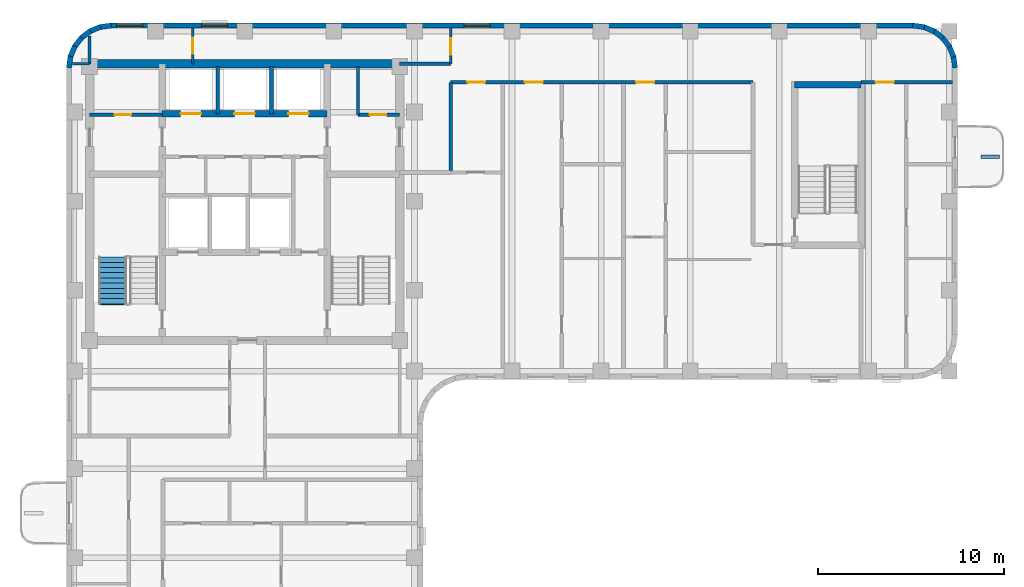
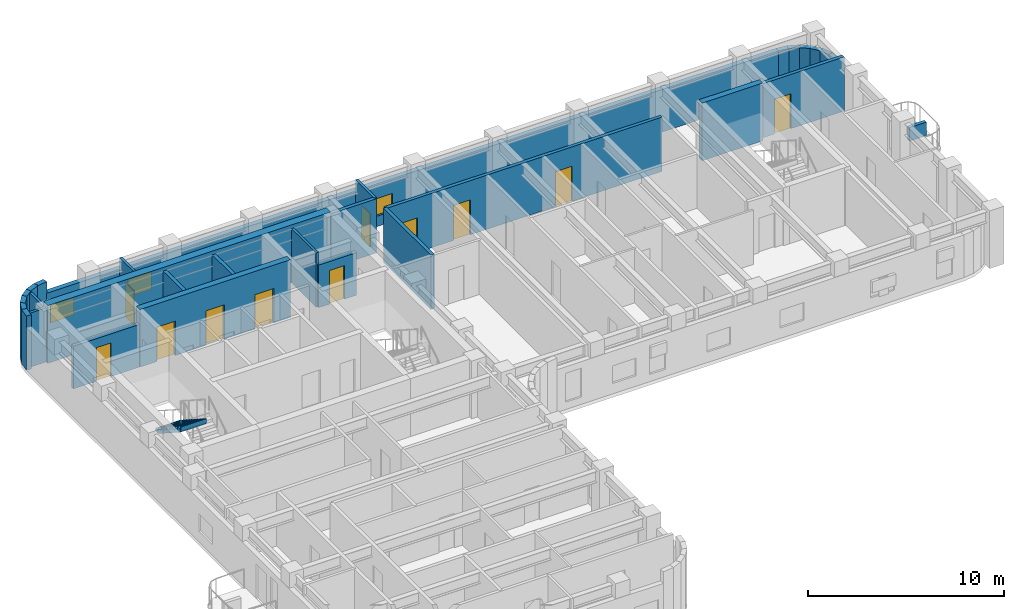
# One storey, part 6 of 10: 30 walls, 11 doors, 3 windows, 1 stair flight, 14 openings, 1 element without a shape of its own.
"""IFC4 building model written with IfcOpenShell, lengths in metres."""

import ifcopenshell
import ifcopenshell.guid

model = None  # the IFC model being written
_history = None  # IfcOwnerHistory: only IFC2X3 demands one
_inside = {}  # id of a spatial element -> (the spatial element, [elements in it])
_under = {}  # id of a project, library or spatial element -> (it, [spatial elements below it])
_declared = {}  # id of a project -> (the project, [libraries it declares])
_typed = {}  # id of a type object -> (the type object, [elements of that type])
_made_of = {}  # id of a material, layer set ... -> (it, [elements and type objects made of it])


def new_model(schema):
    """Start an empty IFC model of exactly this schema.

    Asked for "IFC4X3", IfcOpenShell would pick the latest addendum, in which some entities
    have other attributes; the version numbers below select the first issue.
    IFC2X3 requires an IfcOwnerHistory on every rooted entity: one is made here for all.
    """
    global model, _history
    if schema == "IFC4X3":
        model = ifcopenshell.file(schema_version=(4, 3, 0, 0))
    else:
        model = ifcopenshell.file(schema=schema)
    _inside.clear()
    _under.clear()
    _declared.clear()
    _typed.clear()
    _made_of.clear()
    _history = None
    if model.schema == "IFC2X3":
        org = make("IfcOrganization", Name="unknown")
        user = make(
            "IfcPersonAndOrganization",
            ThePerson=make("IfcPerson", FamilyName="unknown"),
            TheOrganization=org,
        )
        app = make(
            "IfcApplication",
            ApplicationDeveloper=org,
            Version="unknown",
            ApplicationFullName="unknown",
            ApplicationIdentifier="unknown",
        )
        _history = make(
            "IfcOwnerHistory",
            OwningUser=user,
            OwningApplication=app,
            ChangeAction="ADDED",
            CreationDate=0,
        )
    return model


def make(cls, **values):
    """One entity of the class cls with the attributes given. An attribute that is None is left unset."""
    return model.create_entity(
        cls, **{name: value for name, value in values.items() if value is not None}
    )


def rooted(cls, **values):
    """An entity with a GlobalId (a new one), such as an element, a storey or a relation."""
    return make(cls, GlobalId=ifcopenshell.guid.new(), OwnerHistory=_history, **values)


def si_unit(unit_type, name, prefix=None):
    """IfcSIUnit, for example si_unit("LENGTHUNIT", "METRE", prefix="MILLI")."""
    return make("IfcSIUnit", UnitType=unit_type, Prefix=prefix, Name=name)


def assignment(units):
    """IfcUnitAssignment: the units of a project."""
    return None if units is None else make("IfcUnitAssignment", Units=units)


def point(xyz):
    """IfcCartesianPoint."""
    return None if xyz is None else make("IfcCartesianPoint", Coordinates=xyz)


def direction(xyz):
    """IfcDirection."""
    return None if xyz is None else make("IfcDirection", DirectionRatios=xyz)


def frame(location, z_axis=None, x_axis=None):
    """IfcAxis2Placement3D, a coordinate frame: its origin and axes. An axis left out is left unset."""
    return make(
        "IfcAxis2Placement3D",
        Location=point(location),
        Axis=direction(z_axis),
        RefDirection=direction(x_axis),
    )


def frame_2d(location, x_axis=None):
    """IfcAxis2Placement2D, a coordinate frame in the plane: its origin and x axis."""
    return make(
        "IfcAxis2Placement2D", Location=point(location), RefDirection=direction(x_axis)
    )


def origin():
    """The frame at (0, 0, 0) with its axes left unset."""
    return frame((0.0, 0.0, 0.0))


def place(relative_to, where):
    """IfcLocalPlacement: puts the frame where relative to a parent placement (None: the world)."""
    return make(
        "IfcLocalPlacement", PlacementRelTo=relative_to, RelativePlacement=where
    )


def context(
    kind, dimensions, precision=None, world=None, true_north=None, identifier=None
):
    """IfcGeometricRepresentationContext, for example the 3D "Model" context."""
    return make(
        "IfcGeometricRepresentationContext",
        ContextIdentifier=identifier,
        ContextType=kind,
        CoordinateSpaceDimension=dimensions,
        Precision=precision,
        WorldCoordinateSystem=world,
        TrueNorth=true_north,
    )


def subcontext(parent, identifier, kind, view, scale=None):
    """IfcGeometricRepresentationSubContext, for example "Body" below "Model"."""
    return make(
        "IfcGeometricRepresentationSubContext",
        ContextIdentifier=identifier,
        ContextType=kind,
        ParentContext=parent,
        TargetScale=scale,
        TargetView=view,
    )


def project(units=None, contexts=None):
    """IfcProject with its units and contexts."""
    return rooted(
        "IfcProject",
        Name="project",
        RepresentationContexts=contexts,
        UnitsInContext=assignment(units),
    )


def spatial(cls, under=None, at=None, **own):
    """A site, building, storey or space (cls), placed at a placement, below another one or the project."""
    s = rooted(cls, ObjectPlacement=at, **own)
    if under is not None:
        _under.setdefault(under.id(), (under, []))[1].append(s)
    return s


def polyline(points):
    """IfcPolyline through the points."""
    return make("IfcPolyline", Points=[point(p) for p in points])


def profile(cls, at=None, kind="AREA", **sizes):
    """A parametric profile (cls). Its sizes go by their IFC names, for example OverallWidth=200.0."""
    return make(cls, ProfileType=kind, Position=at, **sizes)


def rectangle(**sizes):
    """IfcRectangleProfileDef."""
    return profile("IfcRectangleProfileDef", **sizes)


def outline(outer, holes=None, kind="AREA"):
    """IfcArbitraryClosedProfileDef: a profile drawn as a closed curve; with holes, ...WithVoids."""
    if holes is None:
        return make("IfcArbitraryClosedProfileDef", ProfileType=kind, OuterCurve=outer)
    return make(
        "IfcArbitraryProfileDefWithVoids",
        ProfileType=kind,
        OuterCurve=outer,
        InnerCurves=holes,
    )


def extrude(swept, where, along, depth):
    """IfcExtrudedAreaSolid: the profile swept, set in the frame where, extruded along a direction by depth."""
    return make(
        "IfcExtrudedAreaSolid",
        SweptArea=swept,
        Position=where,
        ExtrudedDirection=direction(along),
        Depth=depth,
    )


def shape(context_of_items, identifier, shape_type, items):
    """IfcShapeRepresentation: the items that make up one representation, for example the "Body"."""
    return make(
        "IfcShapeRepresentation",
        ContextOfItems=context_of_items,
        RepresentationIdentifier=identifier,
        RepresentationType=shape_type,
        Items=items,
    )


def material(Name=None, Category=None):
    """IfcMaterial."""
    return make("IfcMaterial", Name=Name, Category=Category)


def layer(
    of_material, thickness, ventilated=None, Name=None, Category=None, Priority=None
):
    """IfcMaterialLayer: one layer of a wall or slab, of a material (None: an air gap)."""
    return make(
        "IfcMaterialLayer",
        Material=of_material,
        LayerThickness=thickness,
        IsVentilated=ventilated,
        Name=Name,
        Category=Category,
        Priority=Priority,
    )


def layer_set(layers, Name=None):
    """IfcMaterialLayerSet."""
    return make("IfcMaterialLayerSet", MaterialLayers=layers, LayerSetName=Name)


def made_of(thing, what):
    """Note that an element or type object is made of a material, layer set ...; save() writes the relation."""
    if what is not None:
        _made_of.setdefault(what.id(), (what, []))[1].append(thing)
    return thing


def type_object(cls, material=None, **own):
    """A type object (cls), such as IfcWallType, which elements share."""
    return made_of(rooted(cls, **own), material)


def element(
    cls,
    number,
    at=None,
    inside=None,
    cuts=None,
    type_object=None,
    material=None,
    context=None,
    identifier="Body",
    shape_type=None,
    held_by="IfcProductDefinitionShape",
    body=None,
    shapes=None,
    **own,
):
    """One element of the class cls, such as IfcWall. Its Tag is "e" and its number.

    at: its placement. inside: the storey or other place that contains it. cuts: it is an
    opening in that element (IfcRelVoidsElement). A single representation is given by context,
    identifier, shape_type and body (its items); several are given by shapes. held_by: the class
    of the entity that holds the representations. save() writes the other relations.
    """
    e = rooted(cls, Tag="e%d" % number, ObjectPlacement=at, **own)
    if body is not None:
        shapes = [shape(context, identifier, shape_type, body)]
    if shapes is not None:
        e.Representation = make(held_by, Representations=shapes)
    if inside is not None:
        _inside.setdefault(inside.id(), (inside, []))[1].append(e)
    if cuts is not None:
        rooted(
            "IfcRelVoidsElement", RelatingBuildingElement=cuts, RelatedOpeningElement=e
        )
    if type_object is not None:
        _typed.setdefault(type_object.id(), (type_object, []))[1].append(e)
    return made_of(e, material)


def fill(opening, filler):
    """IfcRelFillsElement: the door or window that sits in an opening."""
    return rooted(
        "IfcRelFillsElement",
        RelatingOpeningElement=opening,
        RelatedBuildingElement=filler,
    )


def aggregate(whole, parts):
    """IfcRelAggregates: a whole, such as a stair, and the parts it consists of."""
    return rooted("IfcRelAggregates", RelatingObject=whole, RelatedObjects=parts)


def save(model, path):
    """Write the relations noted so far, then the file.

    IfcRelAggregates (storeys below a building ...), IfcRelContainedInSpatialStructure (elements
    in a storey), IfcRelDefinesByType, IfcRelAssociatesMaterial and IfcRelDeclares: one each for
    every whole, place, type object, material and project.
    """
    for whole, parts in _under.values():
        aggregate(whole, parts)
    for where, things in _inside.values():
        rooted(
            "IfcRelContainedInSpatialStructure",
            RelatedElements=things,
            RelatingStructure=where,
        )
    for kind, things in _typed.values():
        rooted("IfcRelDefinesByType", RelatedObjects=things, RelatingType=kind)
    for what, things in _made_of.values():
        rooted("IfcRelAssociatesMaterial", RelatedObjects=things, RelatingMaterial=what)
    for by, libraries in _declared.values():
        rooted("IfcRelDeclares", RelatingContext=by, RelatedDefinitions=libraries)
    model.write(path)


model = new_model("IFC4")

# Units and contexts
model_context = context("Model", 3, precision=1e-05, world=origin(), true_north=direction((0.0, 1.0)))
body_context = subcontext(model_context, "Body", "Model", "MODEL_VIEW")
ifc_project = project(units=[si_unit("LENGTHUNIT", "METRE"), si_unit("AREAUNIT", "SQUARE_METRE"), si_unit("VOLUMEUNIT", "CUBIC_METRE"), si_unit("PLANEANGLEUNIT", "RADIAN"), si_unit("MASSUNIT", "GRAM", prefix="KILO")], contexts=[model_context])

# Site, building, storey
site_placement = place(None, origin())
site = spatial("IfcSite", under=ifc_project, at=site_placement, CompositionType="ELEMENT")
building_placement = place(site_placement, origin())
building = spatial("IfcBuilding", under=site, at=building_placement, Name="Orvandelia Arch Residences", CompositionType="ELEMENT")
storey_placement = place(building_placement, frame((0.0, 0.0, 207.39990234375)))
storey = spatial("IfcBuildingStorey", under=building, at=storey_placement, Name="L54", CompositionType="ELEMENT", Elevation=207.39990234375)

# Wall, openings, doors
ifc_material_1 = material(Name="Concrete C50/60", Category="concrete")
ifc_layer_1 = layer(ifc_material_1, 0.35009765625, Name="Concrete C50/60", Category="concrete")
ifc_layer_set_1 = layer_set([ifc_layer_1], Name="Concrete C50/60")
wall_type_1 = type_object("IfcWallType", Name="WL-CORE-350", PredefinedType="SHEAR", material=ifc_layer_set_1)
wall_1_placement = place(storey_placement, frame((9.9599609375, 43.10009765625, 0.0), z_axis=(0.0, 0.0, 1.0), x_axis=(1.0, 0.0, 0.0)))
wall_1 = element("IfcWall", 1, at=wall_1_placement, inside=storey, type_object=wall_type_1, Name="Core Shear Wall L54-HZ4", PredefinedType="SHEAR", context=body_context, shape_type="SweptSolid", body=[
    extrude(rectangle(XDim=8.880126953125, YDim=0.35009765625, at=frame_2d((4.43994140625, 0.0))), origin(), (0.0, 0.0, 1.0), 3.60009765625),
])
opening_1_placement = place(wall_1_placement, frame((0.989990234375, 0.0, 0.0)))
opening_1 = element("IfcOpeningElement", 2, at=opening_1_placement, cuts=wall_1, Name="Opening LD", PredefinedType="OPENING", context=body_context, shape_type="SweptSolid", body=[
    extrude(rectangle(XDim=1.10009765625, YDim=2.14990234375, at=frame_2d((0.550048828125, 1.074951171875))), frame((0.0, 0.18505859375, 0.0), z_axis=(0.0, -1.0, 0.0), x_axis=(1.0, 0.0, 0.0)), (0.0, 0.0, 1.0), 0.3701171875),
])
opening_2_placement = place(wall_1_placement, frame((3.889892578125, 0.0, 0.0)))
opening_2 = element("IfcOpeningElement", 3, at=opening_2_placement, cuts=wall_1, Name="Opening LD", PredefinedType="OPENING", context=body_context, shape_type="SweptSolid", body=[
    extrude(rectangle(XDim=1.10009765625, YDim=2.14990234375, at=frame_2d((0.550048828125, 1.074951171875))), frame((0.0, 0.18505859375, 0.0), z_axis=(0.0, -1.0, 0.0), x_axis=(1.0, 0.0, 0.0)), (0.0, 0.0, 1.0), 0.3701171875),
])
opening_3_placement = place(wall_1_placement, frame((6.7900390625, 0.0, 0.0)))
opening_3 = element("IfcOpeningElement", 4, at=opening_3_placement, cuts=wall_1, Name="Opening LD", PredefinedType="OPENING", context=body_context, shape_type="SweptSolid", body=[
    extrude(rectangle(XDim=1.10009765625, YDim=2.14990234375, at=frame_2d((0.550048828125, 1.074951171875))), frame((0.0, 0.18505859375, 0.0), z_axis=(0.0, -1.0, 0.0), x_axis=(1.0, 0.0, 0.0)), (0.0, 0.0, 1.0), 0.3701171875),
])
ifc_material_2 = material(Name="Brushed Stainless Steel Sliding Lift Door", Category="steel")
door_type_1 = type_object("IfcDoorType", Name="DR-LIFT-1100", OperationType="NOTDEFINED", PredefinedType="DOOR", material=ifc_material_2)
door_1_placement = place(opening_1_placement, origin())
door_1 = element("IfcDoor", 5, at=door_1_placement, inside=storey, type_object=door_type_1, Name="Lift Landing Door LD-PH1-L54", OperationType="SLIDING_TO_LEFT", OverallHeight=2.14990234375, OverallWidth=1.10009765625, PredefinedType="DOOR", context=body_context, shape_type="SweptSolid", body=[
    extrude(rectangle(XDim=1.10009765625, YDim=2.14990234375, at=frame_2d((0.550048828125, 1.074951171875))), frame((0.0, 0.02490234375, 0.0), z_axis=(0.0, -1.0, 0.0), x_axis=(1.0, 0.0, 0.0)), (0.0, 0.0, 1.0), 0.050048828125),
])
fill(opening_1, door_1)
door_2_placement = place(opening_2_placement, origin())
door_2 = element("IfcDoor", 6, at=door_2_placement, inside=storey, type_object=door_type_1, Name="Lift Landing Door LD-PH2-L54", OperationType="SLIDING_TO_RIGHT", OverallHeight=2.14990234375, OverallWidth=1.10009765625, PredefinedType="DOOR", context=body_context, shape_type="SweptSolid", body=[
    extrude(rectangle(XDim=1.10009765625, YDim=2.14990234375, at=frame_2d((0.550048828125, 1.074951171875))), frame((0.0, 0.02490234375, 0.0), z_axis=(0.0, -1.0, 0.0), x_axis=(1.0, 0.0, 0.0)), (0.0, 0.0, 1.0), 0.050048828125),
])
fill(opening_2, door_2)
door_3_placement = place(opening_3_placement, origin())
door_3 = element("IfcDoor", 7, at=door_3_placement, inside=storey, type_object=door_type_1, Name="Lift Landing Door LD-PH3-L54", OperationType="SLIDING_TO_LEFT", OverallHeight=2.14990234375, OverallWidth=1.10009765625, PredefinedType="DOOR", context=body_context, shape_type="SweptSolid", body=[
    extrude(rectangle(XDim=1.10009765625, YDim=2.14990234375, at=frame_2d((0.550048828125, 1.074951171875))), frame((0.0, 0.02490234375, 0.0), z_axis=(0.0, -1.0, 0.0), x_axis=(1.0, 0.0, 0.0)), (0.0, 0.0, 1.0), 0.050048828125),
])
fill(opening_3, door_3)

# Walls
wall_2_placement = place(storey_placement, frame((44.02001953125, 44.659912109375, 0.0), z_axis=(0.0, 0.0, 1.0), x_axis=(1.0, 0.0, 0.0)))
element("IfcWall", 8, at=wall_2_placement, inside=storey, type_object=wall_type_1, Name="East Stair Core Shear Wall L54-N", PredefinedType="SHEAR", context=body_context, shape_type="SweptSolid", body=[
    extrude(rectangle(XDim=3.580078125, YDim=0.35009765625, at=frame_2d((1.7900390625, 0.0))), origin(), (0.0, 0.0, 1.0), 3.60009765625),
])
ifc_layer_2 = layer(ifc_material_1, 0.449951171875, Name="Concrete C50/60", Category="concrete")
ifc_layer_set_2 = layer_set([ifc_layer_2], Name="Concrete C50/60")
wall_type_2 = type_object("IfcWallType", Name="WL-CORE-450", PredefinedType="SHEAR", material=ifc_layer_set_2)
wall_3_placement = place(storey_placement, frame((6.050048828125, 45.800048828125, 0.0), z_axis=(0.0, 0.0, 1.0), x_axis=(1.0, 0.0, 0.0)))
element("IfcWall", 9, at=wall_3_placement, inside=storey, type_object=wall_type_2, Name="Core Shear Wall L54-N", PredefinedType="SHEAR", context=body_context, shape_type="SweptSolid", body=[
    extrude(rectangle(XDim=16.699951171875, YDim=0.449951171875, at=frame_2d((8.35009765625, 0.0))), origin(), (0.0, 0.0, 1.0), 3.60009765625),
])
ifc_material_3 = material(Name="Fire-Rated Corridor Partition")
ifc_layer_3 = layer(ifc_material_3, 0.199951171875, Name="Fire-Rated Corridor Partition")
ifc_layer_set_3 = layer_set([ifc_layer_3], Name="Fire-Rated Corridor Partition")
wall_type_3 = type_object("IfcWallType", Name="WL-CORR-200", PredefinedType="PARTITIONING", material=ifc_layer_set_3)
wall_4_placement = place(storey_placement, frame((22.75, 45.800048828125, 0.0), z_axis=(0.0, 0.0, 1.0), x_axis=(1.0, 0.0, 0.0)))
element("IfcWall", 10, at=wall_4_placement, inside=storey, type_object=wall_type_3, Name="Interior Partition Wall WL-L54-NCE-S", PredefinedType="PARTITIONING", context=body_context, shape_type="SweptSolid", body=[
    extrude(rectangle(XDim=2.75, YDim=0.199951171875, at=frame_2d((1.375, 0.0))), origin(), (0.0, 0.0, 1.0), 3.380126953125),
])

# Wall, openings, doors
wall_5_placement = place(storey_placement, frame((25.5, 44.800048828125, 0.0), z_axis=(0.0, 0.0, 1.0), x_axis=(1.0, 0.0, 0.0)))
wall_5 = element("IfcWall", 11, at=wall_5_placement, inside=storey, type_object=wall_type_3, Name="Interior Partition Wall WL-L54-EN2-S1", PredefinedType="PARTITIONING", context=body_context, shape_type="SweptSolid", body=[
    extrude(rectangle(XDim=16.280029296875, YDim=0.199951171875, at=frame_2d((8.14013671875, 0.0))), origin(), (0.0, 0.0, 1.0), 3.380126953125),
])
opening_4_placement = place(wall_5_placement, frame((0.89990234375, 0.0, 0.0)))
opening_4 = element("IfcOpeningElement", 12, at=opening_4_placement, cuts=wall_5, Name="Opening D2", PredefinedType="OPENING", context=body_context, shape_type="SweptSolid", body=[
    extrude(rectangle(XDim=0.949951171875, YDim=2.14990234375, at=frame_2d((0.47509765625, 1.074951171875))), frame((0.0, 0.10986328125, 0.0), z_axis=(0.0, -1.0, 0.0), x_axis=(1.0, 0.0, 0.0)), (0.0, 0.0, 1.0), 0.219970703125),
])
opening_5_placement = place(wall_5_placement, frame((3.987548828125, 0.0, 0.0)))
opening_5 = element("IfcOpeningElement", 13, at=opening_5_placement, cuts=wall_5, Name="Opening D1", PredefinedType="OPENING", context=body_context, shape_type="SweptSolid", body=[
    extrude(rectangle(XDim=0.97998046875, YDim=2.179931640625, at=frame_2d((0.489990234375, 1.08984375))), frame((0.0, 0.10986328125, 0.0), z_axis=(0.0, -1.0, 0.0), x_axis=(1.0, 0.0, 0.0)), (0.0, 0.0, 1.0), 0.219970703125),
])
opening_6_placement = place(wall_5_placement, frame((9.989990234375, 0.0, 0.0)))
opening_6 = element("IfcOpeningElement", 14, at=opening_6_placement, cuts=wall_5, Name="Opening D1", PredefinedType="OPENING", context=body_context, shape_type="SweptSolid", body=[
    extrude(rectangle(XDim=0.97998046875, YDim=2.179931640625, at=frame_2d((0.489990234375, 1.08984375))), frame((0.0, 0.10986328125, 0.0), z_axis=(0.0, -1.0, 0.0), x_axis=(1.0, 0.0, 0.0)), (0.0, 0.0, 1.0), 0.219970703125),
])
ifc_material_4 = material(Name="Solid-Core Timber Interior Fire Door", Category="wood")
door_type_2 = type_object("IfcDoorType", Name="DR-APT-950", OperationType="NOTDEFINED", PredefinedType="DOOR", material=ifc_material_4)
door_4_placement = place(opening_4_placement, origin())
door_4 = element("IfcDoor", 15, at=door_4_placement, inside=storey, type_object=door_type_2, Name="DR-L54-EN2KLD", OperationType="SINGLE_SWING_LEFT", OverallHeight=2.14990234375, OverallWidth=0.949951171875, PredefinedType="DOOR", context=body_context, shape_type="SweptSolid", body=[
    extrude(rectangle(XDim=0.949951171875, YDim=2.14990234375, at=frame_2d((0.47509765625, 1.074951171875))), frame((0.0, 0.02490234375, 0.0), z_axis=(0.0, -1.0, 0.0), x_axis=(1.0, 0.0, 0.0)), (0.0, 0.0, 1.0), 0.050048828125),
])
fill(opening_4, door_4)
ifc_material_5 = material(Name="Solid-Core Timber Acoustic Fire Door", Category="wood")
door_type_3 = type_object("IfcDoorType", Name="DR-ENT-980", OperationType="NOTDEFINED", PredefinedType="DOOR", material=ifc_material_5)
door_5_placement = place(opening_5_placement, origin())
door_5 = element("IfcDoor", 16, at=door_5_placement, inside=storey, type_object=door_type_3, Name="Unit L54-03 Entrance Door", OperationType="SINGLE_SWING_LEFT", OverallHeight=2.179931640625, OverallWidth=0.97998046875, PredefinedType="DOOR", context=body_context, shape_type="SweptSolid", body=[
    extrude(rectangle(XDim=0.97998046875, YDim=2.179931640625, at=frame_2d((0.489990234375, 1.08984375))), frame((0.0, 0.02490234375, 0.0), z_axis=(0.0, -1.0, 0.0), x_axis=(1.0, 0.0, 0.0)), (0.0, 0.0, 1.0), 0.050048828125),
])
fill(opening_5, door_5)
door_6_placement = place(opening_6_placement, origin())
door_6 = element("IfcDoor", 17, at=door_6_placement, inside=storey, type_object=door_type_3, Name="Unit L54-04 Entrance Door", OperationType="SINGLE_SWING_RIGHT", OverallHeight=2.179931640625, OverallWidth=0.97998046875, PredefinedType="DOOR", context=body_context, shape_type="SweptSolid", body=[
    extrude(rectangle(XDim=0.97998046875, YDim=2.179931640625, at=frame_2d((0.489990234375, 1.08984375))), frame((0.0, 0.02490234375, 0.0), z_axis=(0.0, -1.0, 0.0), x_axis=(1.0, 0.0, 0.0)), (0.0, 0.0, 1.0), 0.050048828125),
])
fill(opening_6, door_6)

# Wall, opening, door
wall_6_placement = place(storey_placement, frame((47.60009765625, 44.800048828125, 0.0), z_axis=(0.0, 0.0, 1.0), x_axis=(1.0, 0.0, 0.0)))
wall_6 = element("IfcWall", 18, at=wall_6_placement, inside=storey, type_object=wall_type_3, Name="Interior Partition Wall WL-L54-EN2-S2", PredefinedType="PARTITIONING", context=body_context, shape_type="SweptSolid", body=[
    extrude(rectangle(XDim=4.919921875, YDim=0.199951171875, at=frame_2d((2.4599609375, 0.0))), origin(), (0.0, 0.0, 1.0), 3.380126953125),
])
opening_7_placement = place(wall_6_placement, frame((0.79150390625, 0.0, 0.0)))
opening_7 = element("IfcOpeningElement", 19, at=opening_7_placement, cuts=wall_6, Name="Opening D1", PredefinedType="OPENING", context=body_context, shape_type="SweptSolid", body=[
    extrude(rectangle(XDim=0.97998046875, YDim=2.179931640625, at=frame_2d((0.489990234375, 1.08984375))), frame((0.0, 0.10986328125, 0.0), z_axis=(0.0, -1.0, 0.0), x_axis=(1.0, 0.0, 0.0)), (0.0, 0.0, 1.0), 0.219970703125),
])
door_7_placement = place(opening_7_placement, origin())
door_7 = element("IfcDoor", 20, at=door_7_placement, inside=storey, type_object=door_type_3, Name="Unit L54-05 Entrance Door", OperationType="SINGLE_SWING_LEFT", OverallHeight=2.179931640625, OverallWidth=0.97998046875, PredefinedType="DOOR", context=body_context, shape_type="SweptSolid", body=[
    extrude(rectangle(XDim=0.97998046875, YDim=2.179931640625, at=frame_2d((0.489990234375, 1.08984375))), frame((0.0, 0.02490234375, 0.0), z_axis=(0.0, -1.0, 0.0), x_axis=(1.0, 0.0, 0.0)), (0.0, 0.0, 1.0), 0.050048828125),
])
fill(opening_7, door_7)

# Walls
wall_7_placement = place(storey_placement, frame((25.5, 39.949951171875, 0.0), z_axis=(0.0, 0.0, 1.0), x_axis=(0.0, 1.0, 0.0)))
element("IfcWall", 21, at=wall_7_placement, inside=storey, type_object=wall_type_3, Name="Interior Partition Wall WL-L54-EN2-LW", PredefinedType="PARTITIONING", context=body_context, shape_type="SweptSolid", body=[
    extrude(rectangle(XDim=4.85009765625, YDim=0.199951171875, at=frame_2d((2.425048828125, 0.0))), origin(), (0.0, 0.0, 1.0), 3.380126953125),
])
ifc_material_6 = material(Name="Precast concrete C40/50", Category="concrete")
ifc_layer_4 = layer(ifc_material_6, 0.280029296875, Name="Precast concrete C40/50", Category="concrete")
ifc_layer_set_4 = layer_set([ifc_layer_4], Name="Precast concrete C40/50")
wall_type_4 = type_object("IfcWallType", Name="WL-EXT-STONE-280", PredefinedType="STANDARD", material=ifc_layer_set_4)
for number, where, z_axis, x_axis, name in (
    (22, (4.938720703125, 45.581787109375, 0.0), (0.0, 0.0, 1.0), (0.130555323746, 0.9914410257, 0.0), "Coral-Limestone Precast Facade Wall L54-001"),
    (23, (5.010986328125, 46.16748046875, 0.0), (0.0, 0.0, 1.0), (0.382650053678, 0.92389335771, 0.0), "Coral-Limestone Precast Facade Wall L54-002"),
    (24, (5.232666015625, 46.71484375, 0.0), (0.0, 0.0, 1.0), (0.608693302629, 0.793405610854, 0.0), "Coral-Limestone Precast Facade Wall L54-003"),
    (25, (5.588134765625, 47.18603515625, 0.0), (0.0, 0.0, 1.0), (0.793405610854, 0.608693302629, 0.0), "Coral-Limestone Precast Facade Wall L54-004"),
):
    element("IfcWall", number, at=place(storey_placement, frame(where, z_axis=z_axis, x_axis=x_axis)), inside=storey, type_object=wall_type_4, Name=name, PredefinedType="STANDARD", context=body_context, shape_type="SweptSolid", body=[
        extrude(rectangle(XDim=0.62646484375, YDim=0.280029296875, at=frame_2d((0.313232421875, 0.0))), origin(), (0.0, 0.0, 1.0), 3.380126953125),
    ])
wall_8_placement = place(storey_placement, frame((6.0537109375, 47.54931640625, 0.0), z_axis=(0.0, 0.0, 1.0), x_axis=(0.923974080304, 0.382455093999, 0.0)))
element("IfcWall", 26, at=wall_8_placement, inside=storey, type_object=wall_type_4, Name="Coral-Limestone Precast Facade Wall L54-005", PredefinedType="STANDARD", context=body_context, shape_type="SweptSolid", body=[
    extrude(rectangle(XDim=0.626220703125, YDim=0.280029296875, at=frame_2d((0.31298828125, 0.0))), origin(), (0.0, 0.0, 1.0), 3.380126953125),
])
wall_9_placement = place(storey_placement, frame((6.59716796875, 47.779296875, 0.0), z_axis=(0.0, 0.0, 1.0), x_axis=(0.9914410257, 0.130555323746, 0.0)))
element("IfcWall", 27, at=wall_9_placement, inside=storey, type_object=wall_type_4, Name="Coral-Limestone Precast Facade Wall L54-006", PredefinedType="STANDARD", context=body_context, shape_type="SweptSolid", body=[
    extrude(rectangle(XDim=0.62646484375, YDim=0.280029296875, at=frame_2d((0.313232421875, 0.0))), origin(), (0.0, 0.0, 1.0), 3.380126953125),
])

# Wall, openings, windows
wall_10_placement = place(storey_placement, frame((7.199951171875, 47.860107421875, 0.0), z_axis=(0.0, 0.0, 1.0), x_axis=(1.0, 0.0, 0.0)))
wall_10 = element("IfcWall", 28, at=wall_10_placement, inside=storey, type_object=wall_type_4, Name="Coral-Limestone Precast Facade Wall L54-007", PredefinedType="STANDARD", context=body_context, shape_type="SweptSolid", body=[
    extrude(rectangle(XDim=43.199951171875, YDim=0.280029296875, at=frame_2d((21.60009765625, 0.0))), origin(), (0.0, 0.0, 1.0), 2.66015625),
])
opening_8_placement = place(wall_10_placement, frame((19.027587890625, 0.0, 0.64990234375)))
opening_8 = element("IfcOpeningElement", 29, at=opening_8_placement, cuts=wall_10, Name="Opening W10", PredefinedType="OPENING", context=body_context, shape_type="SweptSolid", body=[
    extrude(rectangle(XDim=1.39990234375, YDim=1.10009765625, at=frame_2d((0.699951171875, 0.550048828125))), frame((0.0, 0.14990234375, 0.0), z_axis=(0.0, -1.0, 0.0), x_axis=(1.0, 0.0, 0.0)), (0.0, 0.0, 1.0), 0.300048828125),
])
opening_9_placement = place(wall_10_placement, frame((0.3076171875, 0.0, 0.64990234375)))
opening_9 = element("IfcOpeningElement", 30, at=opening_9_placement, cuts=wall_10, Name="Opening W10", PredefinedType="OPENING", context=body_context, shape_type="SweptSolid", body=[
    extrude(rectangle(XDim=1.39990234375, YDim=1.10009765625, at=frame_2d((0.699951171875, 0.550048828125))), frame((0.0, 0.14990234375, 0.0), z_axis=(0.0, -1.0, 0.0), x_axis=(1.0, 0.0, 0.0)), (0.0, 0.0, 1.0), 0.300048828125),
])
opening_10_placement = place(wall_10_placement, frame((4.87744140625, 0.0, 0.64990234375)))
opening_10 = element("IfcOpeningElement", 31, at=opening_10_placement, cuts=wall_10, Name="Opening W10", PredefinedType="OPENING", context=body_context, shape_type="SweptSolid", body=[
    extrude(rectangle(XDim=1.39990234375, YDim=1.10009765625, at=frame_2d((0.699951171875, 0.550048828125))), frame((0.0, 0.14990234375, 0.0), z_axis=(0.0, -1.0, 0.0), x_axis=(1.0, 0.0, 0.0)), (0.0, 0.0, 1.0), 0.300048828125),
])
ifc_material_7 = material(Name="Tempered Low-E Insulated Glazing", Category="glass")
window_type = type_object("IfcWindowType", Name="WIN-CLR-1400x1100", PartitioningType="SINGLE_PANEL", PredefinedType="WINDOW", material=ifc_material_7)
window_1_placement = place(opening_8_placement, origin())
window_1 = element("IfcWindow", 32, at=window_1_placement, inside=storey, type_object=window_type, Name="Recessed Punched Window L54-001", OverallHeight=1.10009765625, OverallWidth=1.39990234375, PartitioningType="SINGLE_PANEL", PredefinedType="WINDOW", context=body_context, shape_type="SweptSolid", body=[
    extrude(rectangle(XDim=1.39990234375, YDim=1.10009765625, at=frame_2d((0.699951171875, 0.550048828125))), frame((0.0, 0.030029296875, 0.0), z_axis=(0.0, -1.0, 0.0), x_axis=(1.0, 0.0, 0.0)), (0.0, 0.0, 1.0), 0.06005859375),
])
fill(opening_8, window_1)
window_2_placement = place(opening_9_placement, origin())
window_2 = element("IfcWindow", 33, at=window_2_placement, inside=storey, type_object=window_type, Name="Recessed Punched Window L54-002", OverallHeight=1.10009765625, OverallWidth=1.39990234375, PartitioningType="SINGLE_PANEL", PredefinedType="WINDOW", context=body_context, shape_type="SweptSolid", body=[
    extrude(rectangle(XDim=1.39990234375, YDim=1.10009765625, at=frame_2d((0.699951171875, 0.550048828125))), frame((0.0, 0.030029296875, 0.0), z_axis=(0.0, -1.0, 0.0), x_axis=(1.0, 0.0, 0.0)), (0.0, 0.0, 1.0), 0.06005859375),
])
fill(opening_9, window_2)
window_3_placement = place(opening_10_placement, origin())
window_3 = element("IfcWindow", 34, at=window_3_placement, inside=storey, type_object=window_type, Name="Recessed Punched Window L54-003", OverallHeight=1.10009765625, OverallWidth=1.39990234375, PartitioningType="SINGLE_PANEL", PredefinedType="WINDOW", context=body_context, shape_type="SweptSolid", body=[
    extrude(rectangle(XDim=1.39990234375, YDim=1.10009765625, at=frame_2d((0.699951171875, 0.550048828125))), frame((0.0, 0.030029296875, 0.0), z_axis=(0.0, -1.0, 0.0), x_axis=(1.0, 0.0, 0.0)), (0.0, 0.0, 1.0), 0.06005859375),
])
fill(opening_10, window_3)

# Walls
wall_11_placement = place(storey_placement, frame((50.381591796875, 47.861083984375, 0.0), z_axis=(0.0, 0.0, 1.0), x_axis=(0.991447664465, -0.130504898859, 0.0)))
element("IfcWall", 35, at=wall_11_placement, inside=storey, type_object=wall_type_4, Name="Coral-Limestone Precast Facade Wall L54-008", PredefinedType="STANDARD", context=body_context, shape_type="SweptSolid", body=[
    extrude(rectangle(XDim=0.626708984375, YDim=0.280029296875, at=frame_2d((0.3134765625, 0.0))), origin(), (0.0, 0.0, 1.0), 2.66015625),
])
for number, where, z_axis, x_axis, name in (
    (36, (50.967529296875, 47.788818359375, 0.0), (0.0, 0.0, 1.0), (0.924031075431, -0.382317370307, 0.0), "Coral-Limestone Precast Facade Wall L54-009"),
    (37, (51.514892578125, 47.5673828125, 0.0), (0.0, 0.0, 1.0), (0.793405610854, -0.608693302629, 0.0), "Coral-Limestone Precast Facade Wall L54-010"),
    (38, (51.986083984375, 47.2119140625, 0.0), (0.0, 0.0, 1.0), (0.608693302629, -0.793405610854, 0.0), "Coral-Limestone Precast Facade Wall L54-011"),
    (39, (52.34912109375, 46.746337890625, 0.0), (0.0, 0.0, 1.0), (0.382650053678, -0.92389335771, 0.0), "Coral-Limestone Precast Facade Wall L54-012"),
    (40, (52.579345703125, 46.202880859375, 0.0), (0.0, 0.0, 1.0), (0.130555323746, -0.9914410257, 0.0), "Coral-Limestone Precast Facade Wall L54-013"),
):
    element("IfcWall", number, at=place(storey_placement, frame(where, z_axis=z_axis, x_axis=x_axis)), inside=storey, type_object=wall_type_4, Name=name, PredefinedType="STANDARD", context=body_context, shape_type="SweptSolid", body=[
        extrude(rectangle(XDim=0.62646484375, YDim=0.280029296875, at=frame_2d((0.313232421875, 0.0))), origin(), (0.0, 0.0, 1.0), 2.66015625),
    ])
ifc_material_8 = material(Name="Acoustic Gypsum Stud Partition")
ifc_layer_5 = layer(ifc_material_8, 0.14990234375, Name="Acoustic Gypsum Stud Partition")
ifc_layer_set_5 = layer_set([ifc_layer_5], Name="Acoustic Gypsum Stud Partition")
wall_type_5 = type_object("IfcWallType", Name="WL-PART-150", PredefinedType="PARTITIONING", material=ifc_layer_set_5)
wall_12_placement = place(storey_placement, frame((20.5, 43.050048828125, 0.0), z_axis=(0.0, 0.0, 1.0), x_axis=(0.0, 1.0, 0.0)))
element("IfcWall", 41, at=wall_12_placement, inside=storey, type_object=wall_type_5, Name="Interior Partition Wall WL-L54-CSB-2W", PredefinedType="PARTITIONING", context=body_context, shape_type="SweptSolid", body=[
    extrude(rectangle(XDim=2.599853515625, YDim=0.14990234375, at=frame_2d((1.2998046875, 0.0))), origin(), (0.0, 0.0, 1.0), 3.380126953125),
])
wall_13_placement = place(storey_placement, frame((5.1201171875, 45.800048828125, 0.0), z_axis=(0.0, 0.0, 1.0), x_axis=(1.0, 0.0, 0.0)))
element("IfcWall", 42, at=wall_13_placement, inside=storey, type_object=wall_type_5, Name="Interior Partition Wall WL-L54-WF-N", PredefinedType="PARTITIONING", context=body_context, shape_type="SweptSolid", body=[
    extrude(rectangle(XDim=0.929931640625, YDim=0.14990234375, at=frame_2d((0.46484375, 0.0))), origin(), (0.0, 0.0, 1.0), 3.380126953125),
])

# Wall, opening, door
wall_14_placement = place(storey_placement, frame((25.5, 45.800048828125, 0.0), z_axis=(0.0, 0.0, 1.0), x_axis=(0.0, 1.0, 0.0)))
wall_14 = element("IfcWall", 43, at=wall_14_placement, inside=storey, type_object=wall_type_5, Name="Interior Partition Wall WL-L54-NCE-W", PredefinedType="PARTITIONING", context=body_context, shape_type="SweptSolid", body=[
    extrude(rectangle(XDim=1.919921875, YDim=0.14990234375, at=frame_2d((0.9599609375, 0.0))), origin(), (0.0, 0.0, 1.0), 3.380126953125),
])
opening_11_placement = place(wall_14_placement, frame((0.5, 0.0, 0.0)))
opening_11 = element("IfcOpeningElement", 44, at=opening_11_placement, cuts=wall_14, Name="Opening D5", PredefinedType="OPENING", context=body_context, shape_type="SweptSolid", body=[
    extrude(rectangle(XDim=0.8798828125, YDim=2.10009765625, at=frame_2d((0.43994140625, 1.050048828125))), frame((0.0, 0.0849609375, 0.0), z_axis=(0.0, -1.0, 0.0), x_axis=(1.0, 0.0, 0.0)), (0.0, 0.0, 1.0), 0.169921875),
])
ifc_material_9 = material(Name="Painted Galvanised Steel Service Door", Category="steel")
door_type_4 = type_object("IfcDoorType", Name="DR-SRV-880", OperationType="NOTDEFINED", PredefinedType="DOOR", material=ifc_material_9)
door_8_placement = place(opening_11_placement, origin())
door_8 = element("IfcDoor", 45, at=door_8_placement, inside=storey, type_object=door_type_4, Name="DR-L54-NCS2", OperationType="SINGLE_SWING_LEFT", OverallHeight=2.10009765625, OverallWidth=0.8798828125, PredefinedType="DOOR", context=body_context, shape_type="SweptSolid", body=[
    extrude(rectangle(XDim=0.8798828125, YDim=2.10009765625, at=frame_2d((0.43994140625, 1.050048828125))), frame((0.0, 0.02490234375, 0.0), z_axis=(0.0, -1.0, 0.0), x_axis=(1.0, 0.0, 0.0)), (0.0, 0.0, 1.0), 0.050048828125),
])
fill(opening_11, door_8)

# Wall
wall_15_placement = place(storey_placement, frame((6.050048828125, 45.800048828125, 0.0), z_axis=(0.0, 0.0, 1.0), x_axis=(0.0, 1.0, 0.0)))
element("IfcWall", 46, at=wall_15_placement, inside=storey, type_object=wall_type_5, Name="Interior Partition Wall WL-L54-NC-W6", PredefinedType="PARTITIONING", context=body_context, shape_type="SweptSolid", body=[
    extrude(rectangle(XDim=1.5, YDim=0.14990234375, at=frame_2d((0.75, 0.0))), origin(), (0.0, 0.0, 1.0), 3.380126953125),
])

# Wall, opening, door
wall_16_placement = place(storey_placement, frame((11.60009765625, 45.800048828125, 0.0), z_axis=(0.0, 0.0, 1.0), x_axis=(0.0, 1.0, 0.0)))
wall_16 = element("IfcWall", 47, at=wall_16_placement, inside=storey, type_object=wall_type_5, Name="Interior Partition Wall WL-L54-NC-M", PredefinedType="PARTITIONING", context=body_context, shape_type="SweptSolid", body=[
    extrude(rectangle(XDim=1.919921875, YDim=0.14990234375, at=frame_2d((0.9599609375, 0.0))), origin(), (0.0, 0.0, 1.0), 3.380126953125),
])
opening_12_placement = place(wall_16_placement, frame((0.550048828125, 0.0, 0.0)))
opening_12 = element("IfcOpeningElement", 48, at=opening_12_placement, cuts=wall_16, Name="Opening D4", PredefinedType="OPENING", context=body_context, shape_type="SweptSolid", body=[
    extrude(rectangle(XDim=0.860107421875, YDim=2.10009765625, at=frame_2d((0.43017578125, 1.050048828125))), frame((0.0, 0.0849609375, 0.0), z_axis=(0.0, -1.0, 0.0), x_axis=(1.0, 0.0, 0.0)), (0.0, 0.0, 1.0), 0.169921875),
])
ifc_material_10 = material(Name="Moisture-Sealed Timber Bathroom Door", Category="wood")
door_type_5 = type_object("IfcDoorType", Name="DR-WET-900", OperationType="NOTDEFINED", PredefinedType="DOOR", material=ifc_material_10)
door_9_placement = place(opening_12_placement, origin())
door_9 = element("IfcDoor", 49, at=door_9_placement, inside=storey, type_object=door_type_5, Name="DR-L54-NCS1", OperationType="SINGLE_SWING_LEFT", OverallHeight=2.10009765625, OverallWidth=0.860107421875, PredefinedType="DOOR", context=body_context, shape_type="SweptSolid", body=[
    extrude(rectangle(XDim=0.860107421875, YDim=2.10009765625, at=frame_2d((0.43017578125, 1.050048828125))), frame((0.0, 0.02490234375, 0.0), z_axis=(0.0, -1.0, 0.0), x_axis=(1.0, 0.0, 0.0)), (0.0, 0.0, 1.0), 0.050048828125),
])
fill(opening_12, door_9)

# Wall
ifc_layer_6 = layer(ifc_material_6, 0.199951171875, Name="Precast concrete C40/50", Category="concrete")
ifc_layer_set_6 = layer_set([ifc_layer_6], Name="Precast concrete C40/50")
wall_type_6 = type_object("IfcWallType", Name="WL-PLANTER-200", PredefinedType="MOVABLE", material=ifc_layer_set_6)
wall_17_placement = place(storey_placement, frame((54.050048828125, 40.800048828125, 0.0), z_axis=(0.0, 0.0, 1.0), x_axis=(1.0, 0.0, 0.0)))
element("IfcWall", 50, at=wall_17_placement, inside=storey, type_object=wall_type_6, Name="Balcony Precast Tree Planter BAL-L54-E1", PredefinedType="MOVABLE", context=body_context, shape_type="SweptSolid", body=[
    extrude(rectangle(XDim=1.0, YDim=0.199951171875, at=frame_2d((0.5, 0.0))), origin(), (0.0, 0.0, 1.0), 0.85009765625),
])

# Wall, opening, door
ifc_material_11 = material(Name="Fire-Rated Shaft Enclosure Wall")
ifc_layer_7 = layer(ifc_material_11, 0.199951171875, Name="Fire-Rated Shaft Enclosure Wall")
ifc_layer_set_7 = layer_set([ifc_layer_7], Name="Fire-Rated Shaft Enclosure Wall")
wall_type_7 = type_object("IfcWallType", Name="WL-SHAFT-200", PredefinedType="POLYGONAL", material=ifc_layer_set_7)
wall_18_placement = place(storey_placement, frame((20.5, 43.050048828125, 0.0), z_axis=(0.0, 0.0, 1.0), x_axis=(1.0, 0.0, 0.0)))
wall_18 = element("IfcWall", 51, at=wall_18_placement, inside=storey, type_object=wall_type_7, Name="Interior Partition Wall WL-L54-HLE-N", PredefinedType="POLYGONAL", context=body_context, shape_type="SweptSolid", body=[
    extrude(rectangle(XDim=2.25, YDim=0.199951171875, at=frame_2d((1.125, 0.0))), origin(), (0.0, 0.0, 1.0), 2.66015625),
])
opening_13_placement = place(wall_18_placement, frame((0.64990234375, 0.0, 0.0)))
opening_13 = element("IfcOpeningElement", 52, at=opening_13_placement, cuts=wall_18, Name="Opening D5", PredefinedType="OPENING", context=body_context, shape_type="SweptSolid", body=[
    extrude(rectangle(XDim=0.8798828125, YDim=2.10009765625, at=frame_2d((0.43994140625, 1.050048828125))), frame((0.0, 0.10986328125, 0.0), z_axis=(0.0, -1.0, 0.0), x_axis=(1.0, 0.0, 0.0)), (0.0, 0.0, 1.0), 0.219970703125),
])
door_10_placement = place(opening_13_placement, origin())
door_10 = element("IfcDoor", 53, at=door_10_placement, inside=storey, type_object=door_type_4, Name="DR-L54-CSB1", OperationType="SINGLE_SWING_RIGHT", OverallHeight=2.10009765625, OverallWidth=0.8798828125, PredefinedType="DOOR", context=body_context, shape_type="SweptSolid", body=[
    extrude(rectangle(XDim=0.8798828125, YDim=2.10009765625, at=frame_2d((0.43994140625, 1.050048828125))), frame((0.0, 0.02490234375, 0.0), z_axis=(0.0, -1.0, 0.0), x_axis=(1.0, 0.0, 0.0)), (0.0, 0.0, 1.0), 0.050048828125),
])
fill(opening_13, door_10)

wall_19_placement = place(storey_placement, frame((6.050048828125, 43.050048828125, 0.0), z_axis=(0.0, 0.0, 1.0), x_axis=(1.0, 0.0, 0.0)))
wall_19 = element("IfcWall", 54, at=wall_19_placement, inside=storey, type_object=wall_type_7, Name="Interior Partition Wall WL-L54-HLW-N", PredefinedType="POLYGONAL", context=body_context, shape_type="SweptSolid", body=[
    extrude(rectangle(XDim=3.909912109375, YDim=0.199951171875, at=frame_2d((1.955078125, 0.0))), origin(), (0.0, 0.0, 1.0), 2.66015625),
])
opening_14_placement = place(wall_19_placement, frame((1.35009765625, 0.0, 0.0)))
opening_14 = element("IfcOpeningElement", 55, at=opening_14_placement, cuts=wall_19, Name="Opening D5", PredefinedType="OPENING", context=body_context, shape_type="SweptSolid", body=[
    extrude(rectangle(XDim=0.8798828125, YDim=2.10009765625, at=frame_2d((0.43994140625, 1.050048828125))), frame((0.0, 0.10986328125, 0.0), z_axis=(0.0, -1.0, 0.0), x_axis=(1.0, 0.0, 0.0)), (0.0, 0.0, 1.0), 0.219970703125),
])
door_11_placement = place(opening_14_placement, origin())
door_11 = element("IfcDoor", 56, at=door_11_placement, inside=storey, type_object=door_type_4, Name="Riser Service Door L54", OperationType="SINGLE_SWING_RIGHT", OverallHeight=2.10009765625, OverallWidth=0.8798828125, PredefinedType="DOOR", context=body_context, shape_type="SweptSolid", body=[
    extrude(rectangle(XDim=0.8798828125, YDim=2.10009765625, at=frame_2d((0.43994140625, 1.050048828125))), frame((0.0, 0.02490234375, 0.0), z_axis=(0.0, -1.0, 0.0), x_axis=(1.0, 0.0, 0.0)), (0.0, 0.0, 1.0), 0.050048828125),
])
fill(opening_14, door_11)

# Walls
for number, where, z_axis, x_axis, name in (
    (57, (12.949951171875, 43.10009765625, 0.0), (0.0, 0.0, 1.0), (0.0, 1.0, 0.0), "Interior Partition Wall WL-L54-PHD1"),
    (58, (15.85009765625, 43.10009765625, 0.0), (0.0, 0.0, 1.0), (0.0, 1.0, 0.0), "Interior Partition Wall WL-L54-PHD2"),
):
    element("IfcWall", number, at=place(storey_placement, frame(where, z_axis=z_axis, x_axis=x_axis)), inside=storey, type_object=wall_type_7, Name=name, PredefinedType="POLYGONAL", context=body_context, shape_type="SweptSolid", body=[
        extrude(rectangle(XDim=2.5498046875, YDim=0.199951171875, at=frame_2d((1.27490234375, 0.0))), origin(), (0.0, 0.0, 1.0), 3.380126953125),
    ])

# Stair, stair flight
ifc_material_12 = material(Name="Concrete C40/50", Category="concrete")
stair_type = type_object("IfcStairType", Name="STAIR-RC-DOGLEG", PredefinedType="HALF_TURN_STAIR", material=ifc_material_12)
stair_placement = place(storey_placement, origin())
stair = element("IfcStair", 59, at=stair_placement, inside=storey, type_object=stair_type, Name="L54 Protected Exit Stair ST-1", PredefinedType="HALF_TURN_STAIR")
stair_flight_type = type_object("IfcStairFlightType", Name="STFLT-RC-1520", PredefinedType="STRAIGHT", material=ifc_material_12)
stair_flight_placement = place(storey_placement, frame((7.2900390625, 35.389892578125, 1.800048828125), z_axis=(0.0, 0.0, 1.0), x_axis=(0.0, -1.0, 0.0)))
stair_flight = element("IfcStairFlight", 60, at=stair_flight_placement, type_object=stair_flight_type, Name="ST-1 flight 2", NumberOfRisers=10, NumberOfTreads=9, PredefinedType="STRAIGHT", RiserHeight=0.18, TreadLength=0.28, context=body_context, shape_type="SweptSolid", body=[
    extrude(outline(polyline([(0.0, 0.0), (0.0, 0.179931640625), (0.280029296875, 0.179931640625), (0.280029296875, 0.360107421875), (0.56005859375, 0.360107421875), (0.56005859375, 0.5400390625), (0.840087890625, 0.5400390625), (0.840087890625, 0.719970703125), (1.1201171875, 0.719970703125), (1.1201171875, 0.89990234375), (1.39990234375, 0.89990234375), (1.39990234375, 1.080078125), (1.679931640625, 1.080078125), (1.679931640625, 1.260009765625), (1.9599609375, 1.260009765625), (1.9599609375, 1.43994140625), (2.239990234375, 1.43994140625), (2.239990234375, 1.6201171875), (2.52001953125, 1.6201171875), (2.52001953125, 1.800048828125), (2.580078125, 1.800048828125), (2.580078125, 1.6201171875), (2.52001953125, 1.44189453125), (0.277099609375, 0.0), (0.0, 0.0)])), frame((0.0, 0.760009765625, 0.0), z_axis=(0.0, -1.0, 0.0), x_axis=(1.0, 0.0, 0.0)), (0.0, 0.0, 1.0), 1.52001953125),
])
aggregate(stair, [stair_flight])

save(model, "model.ifc")
